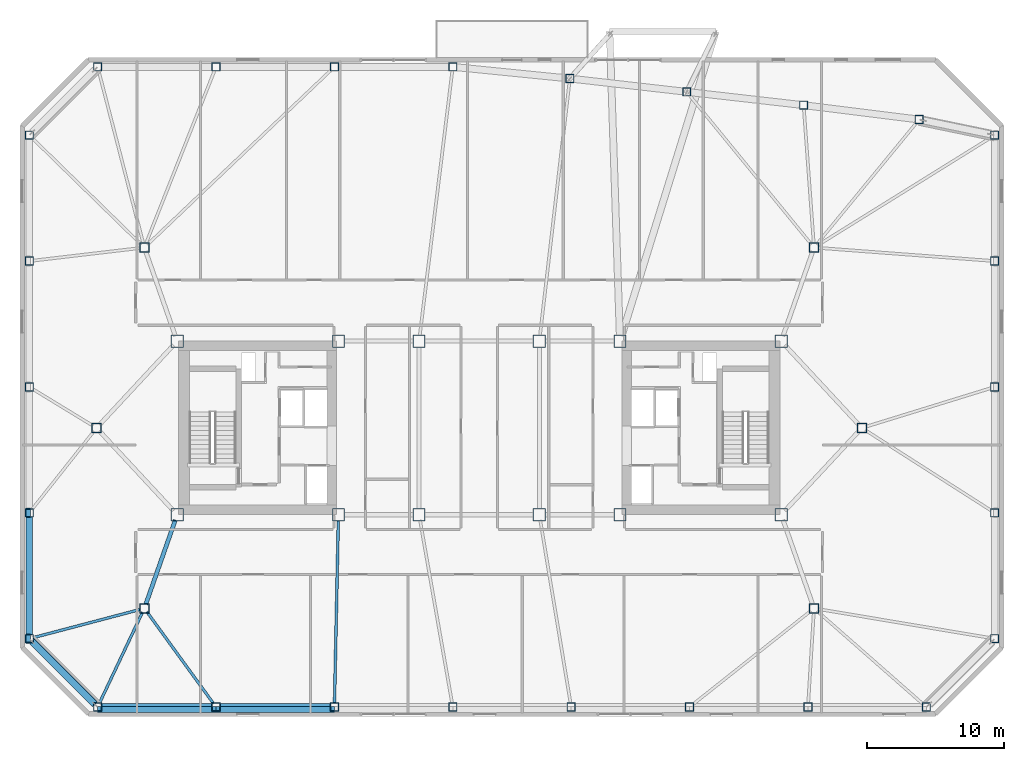
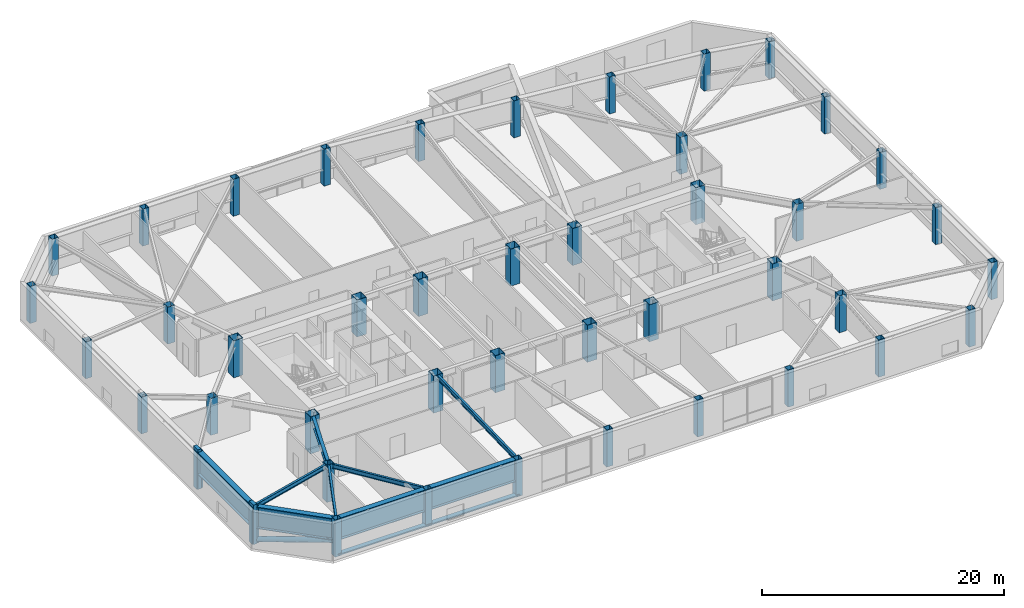
# One storey, part 1 of 19: 44 columns, 9 beams, 5 members.
"""IFC4 building model written with IfcOpenShell, lengths in metres."""

from ifc_helpers import new_model, si_unit, direction, frame, origin, origin_2d, place, context, subcontext, project, spatial, rectangle, hollow_rectangle, hollow_circle, i_section, extrude, material, material_profile, profile_set, type_object, element, save


model = new_model("IFC4")

# Units and contexts
model_context = context("Model", 3, precision=1e-05, world=origin(), true_north=direction((0.0, 1.0)))
body_context = subcontext(model_context, "Body", "Model", "MODEL_VIEW")
ifc_project = project(units=[si_unit("LENGTHUNIT", "METRE"), si_unit("AREAUNIT", "SQUARE_METRE"), si_unit("VOLUMEUNIT", "CUBIC_METRE"), si_unit("PLANEANGLEUNIT", "RADIAN"), si_unit("MASSUNIT", "GRAM", prefix="KILO")], contexts=[model_context])

# Site, building, storey
site_placement = place(None, origin())
site = spatial("IfcSite", under=ifc_project, at=site_placement, CompositionType="ELEMENT")
building_placement = place(site_placement, origin())
building = spatial("IfcBuilding", under=site, at=building_placement, Name="Tavrogorsk Clinical Tower", CompositionType="ELEMENT")
storey_placement = place(building_placement, frame((0.0, 0.0, 172.199951171875)))
storey = spatial("IfcBuildingStorey", under=building, at=storey_placement, Name="L39", CompositionType="ELEMENT", Elevation=172.199951171875)

# Columns
ifc_material_1 = material(Name="Structural steel S440", Category="steel")
ifc_material_profile_1 = material_profile(ifc_material_1, hollow_rectangle(XDim=0.699951171875, YDim=0.699951171875, WallThickness=0.031982421875, at=origin_2d()), Name="BOX-700x700x32")
ifc_profile_set_1 = profile_set([ifc_material_profile_1], Name="Structural steel S440")
column_type_1 = type_object("IfcColumnType", Name="MegaCol_BOX700", PredefinedType="COLUMN", material=ifc_profile_set_1)
for number, where, z_axis, x_axis, name in (
    (1, (-24.5, -13.199951171875, 0.0), (0.0, 0.0, 1.0), (1.0, 0.0, 0.0), "L39 Spine Pilotis Column MC-P1"),
    (2, (24.5, -13.199951171875, 0.0), (0.0, 0.0, 1.0), (1.0, 0.0, 0.0), "L39 Spine Pilotis Column MC-P2"),
    (3, (-24.5, 13.199951171875, 0.0), (0.0, 0.0, 1.0), (1.0, 0.0, 0.0), "L39 Spine Pilotis Column MC-P3"),
    (4, (24.5, 13.199951171875, 0.0), (0.0, 0.0, 1.0), (1.0, 0.0, 0.0), "L39 Spine Pilotis Column MC-P4"),
    (5, (-28.0, 0.0, 0.0), (0.0, 0.0, 1.0), (1.0, 0.0, 0.0), "L39 Spine Pilotis Column MC-P5"),
    (6, (28.0, 0.0, 0.0), (0.0, 0.0, 1.0), (1.0, 0.0, 0.0), "L39 Spine Pilotis Column MC-P6"),
):
    element("IfcColumn", number, at=place(storey_placement, frame(where, z_axis=z_axis, x_axis=x_axis)), inside=storey, type_object=column_type_1, Name=name, PredefinedType="COLUMN", context=body_context, shape_type="SweptSolid", body=[
        extrude(hollow_rectangle(XDim=0.699951171875, YDim=0.699951171875, WallThickness=0.031982421875, at=origin_2d()), origin(), (0.0, 0.0, 1.0), 3.739990234375),
    ])
ifc_material_2 = material(Name="Structural steel S440", Category="steel")
ifc_material_profile_2 = material_profile(ifc_material_2, hollow_rectangle(XDim=0.89990234375, YDim=0.89990234375, WallThickness=0.0400390625, at=origin_2d()), Name="BOX-900x900x40")
ifc_profile_set_2 = profile_set([ifc_material_profile_2], Name="Structural steel S440")
column_type_2 = type_object("IfcColumnType", Name="MegaCol_BOX900", PredefinedType="COLUMN", material=ifc_profile_set_2)
for number, where, z_axis, x_axis, name in (
    (7, (-22.10009765625, -6.35009765625, 0.0), (0.0, 0.0, 1.0), (1.0, 0.0, 0.0), "L39 Mega Column MC-W1"),
    (8, (-22.10009765625, 6.35009765625, 0.0), (0.0, 0.0, 1.0), (1.0, 0.0, 0.0), "L39 Mega Column MC-W2"),
    (9, (-10.300048828125, -6.35009765625, 0.0), (0.0, 0.0, 1.0), (1.0, 0.0, 0.0), "L39 Mega Column MC-W3"),
    (10, (-10.300048828125, 6.35009765625, 0.0), (0.0, 0.0, 1.0), (1.0, 0.0, 0.0), "L39 Mega Column MC-W4"),
    (11, (10.300048828125, -6.35009765625, 0.0), (0.0, 0.0, 1.0), (1.0, 0.0, 0.0), "L39 Mega Column MC-E1"),
    (12, (10.300048828125, 6.35009765625, 0.0), (0.0, 0.0, 1.0), (1.0, 0.0, 0.0), "L39 Mega Column MC-E2"),
    (13, (22.10009765625, -6.35009765625, 0.0), (0.0, 0.0, 1.0), (1.0, 0.0, 0.0), "L39 Mega Column MC-E3"),
    (14, (22.10009765625, 6.35009765625, 0.0), (0.0, 0.0, 1.0), (1.0, 0.0, 0.0), "L39 Mega Column MC-E4"),
    (15, (-4.39990234375, -6.35009765625, 0.0), (0.0, 0.0, 1.0), (1.0, 0.0, 0.0), "L39 Mega Column MC-C1"),
    (16, (4.39990234375, -6.35009765625, 0.0), (0.0, 0.0, 1.0), (1.0, 0.0, 0.0), "L39 Mega Column MC-C2"),
    (17, (-4.39990234375, 6.35009765625, 0.0), (0.0, 0.0, 1.0), (1.0, 0.0, 0.0), "L39 Mega Column MC-C3"),
    (18, (4.39990234375, 6.35009765625, 0.0), (0.0, 0.0, 1.0), (1.0, 0.0, 0.0), "L39 Mega Column MC-C4"),
):
    element("IfcColumn", number, at=place(storey_placement, frame(where, z_axis=z_axis, x_axis=x_axis)), inside=storey, type_object=column_type_2, Name=name, PredefinedType="COLUMN", context=body_context, shape_type="SweptSolid", body=[
        extrude(hollow_rectangle(XDim=0.89990234375, YDim=0.89990234375, WallThickness=0.0400390625, at=origin_2d()), origin(), (0.0, 0.0, 1.0), 3.739990234375),
    ])
ifc_material_3 = material(Name="Structural steel S440", Category="steel")
ifc_material_profile_3 = material_profile(ifc_material_3, hollow_rectangle(XDim=0.60009765625, YDim=0.60009765625, WallThickness=0.028076171875, at=origin_2d()), Name="BOX-600x600x28")
ifc_profile_set_3 = profile_set([ifc_material_profile_3], Name="Structural steel S440")
column_type_3 = type_object("IfcColumnType", Name="PerimCol_B3_BOX600", PredefinedType="COLUMN", material=ifc_profile_set_3)
for number, where, z_axis, x_axis, name in (
    (19, (-27.919921875, -20.419921875, 0.0), (0.0, 0.0, 1.0), (1.0, 0.0, 0.0), "L39 Perimeter Column S1"),
    (20, (-19.257080078125, -20.419921875, 0.0), (0.0, 0.0, 1.0), (1.0, 0.0, 0.0), "L39 Perimeter Column S2"),
    (21, (-10.59423828125, -20.419921875, 0.0), (0.0, 0.0, 1.0), (1.0, 0.0, 0.0), "L39 Perimeter Column S3"),
    (22, (-1.931396484375, -20.419921875, 0.0), (0.0, 0.0, 1.0), (1.0, 0.0, 0.0), "L39 Perimeter Column S4"),
    (23, (6.7314453125, -20.419921875, 0.0), (0.0, 0.0, 1.0), (1.0, 0.0, 0.0), "L39 Perimeter Column S5"),
    (24, (15.394287109375, -20.419921875, 0.0), (0.0, 0.0, 1.0), (1.0, 0.0, 0.0), "L39 Perimeter Column S6"),
    (25, (24.05712890625, -20.419921875, 0.0), (0.0, 0.0, 1.0), (1.0, 0.0, 0.0), "L39 Perimeter Column S7"),
    (26, (32.719970703125, -20.419921875, 0.0), (0.0, 0.0, 1.0), (1.0, 0.0, 0.0), "L39 Perimeter Column S8"),
    (27, (32.19140625, 22.56591796875, 0.0), (0.0, 0.0, 1.0), (1.0, 0.0, 0.0), "L39 Perimeter Column N1"),
    (28, (23.73779296875, 23.617919921875, 0.0), (0.0, 0.0, 1.0), (1.0, 0.0, 0.0), "L39 Perimeter Column N2"),
    (29, (15.18603515625, 24.59228515625, 0.0), (0.0, 0.0, 1.0), (1.0, 0.0, 0.0), "L39 Perimeter Column N3"),
    (30, (6.63427734375, 25.566650390625, 0.0), (0.0, 0.0, 1.0), (1.0, 0.0, 0.0), "L39 Perimeter Column N4"),
    (31, (-1.931396484375, 26.419921875, 0.0), (0.0, 0.0, 1.0), (1.0, 0.0, 0.0), "L39 Perimeter Column N5"),
    (32, (-10.59423828125, 26.419921875, 0.0), (0.0, 0.0, 1.0), (1.0, 0.0, 0.0), "L39 Perimeter Column N6"),
    (33, (-19.257080078125, 26.419921875, 0.0), (0.0, 0.0, 1.0), (1.0, 0.0, 0.0), "L39 Perimeter Column N7"),
    (34, (-27.919921875, 26.419921875, 0.0), (0.0, 0.0, 1.0), (1.0, 0.0, 0.0), "L39 Perimeter Column N8"),
    (35, (37.719970703125, -15.419921875, 0.0), (0.0, 0.0, 1.0), (1.0, 0.0, 0.0), "L39 Perimeter Column E1"),
    (36, (37.719970703125, -6.2099609375, 0.0), (0.0, 0.0, 1.0), (1.0, 0.0, 0.0), "L39 Perimeter Column E2"),
    (37, (37.719970703125, 3.0, 0.0), (0.0, 0.0, 1.0), (1.0, 0.0, 0.0), "L39 Perimeter Column E3"),
    (38, (37.719970703125, 12.2099609375, 0.0), (0.0, 0.0, 1.0), (1.0, 0.0, 0.0), "L39 Perimeter Column E4"),
    (39, (37.719970703125, 21.419921875, 0.0), (0.0, 0.0, 1.0), (1.0, 0.0, 0.0), "L39 Perimeter Column E5"),
    (40, (-32.919921875, 21.419921875, 0.0), (0.0, 0.0, 1.0), (1.0, 0.0, 0.0), "L39 Perimeter Column W1"),
    (41, (-32.919921875, 12.2099609375, 0.0), (0.0, 0.0, 1.0), (1.0, 0.0, 0.0), "L39 Perimeter Column W2"),
    (42, (-32.919921875, 3.0, 0.0), (0.0, 0.0, 1.0), (1.0, 0.0, 0.0), "L39 Perimeter Column W3"),
    (43, (-32.919921875, -6.2099609375, 0.0), (0.0, 0.0, 1.0), (1.0, 0.0, 0.0), "L39 Perimeter Column W4"),
    (44, (-32.919921875, -15.419921875, 0.0), (0.0, 0.0, 1.0), (1.0, 0.0, 0.0), "L39 Perimeter Column W5"),
):
    element("IfcColumn", number, at=place(storey_placement, frame(where, z_axis=z_axis, x_axis=x_axis)), inside=storey, type_object=column_type_3, Name=name, PredefinedType="COLUMN", context=body_context, shape_type="SweptSolid", body=[
        extrude(hollow_rectangle(XDim=0.60009765625, YDim=0.60009765625, WallThickness=0.028076171875, at=origin_2d()), origin(), (0.0, 0.0, 1.0), 3.739990234375),
    ])

# Members
ifc_material_4 = material(Name="Anodised aluminium alloy AW-6063", Category="aluminium")
ifc_material_profile_4 = material_profile(ifc_material_4, rectangle(XDim=0.449951171875, YDim=0.1201171875, at=origin_2d()), Name="ALU-SUNSHADE-450x120")
ifc_profile_set_4 = profile_set([ifc_material_profile_4], Name="Anodised aluminium alloy AW-6063")
member_type_1 = type_object("IfcMemberType", Name="ChicagoSunshade_450x120", PredefinedType="USERDEFINED", material=ifc_profile_set_4)
for number, where, z_axis, x_axis, name in (
    (45, (-27.919921875, -20.60009765625, 0.179931640625), (1.0, 0.0, 0.0), (0.0, 1.0, 0.0), "L39 South Aluminium Sunshade S1"),
    (46, (-19.257080078125, -20.60009765625, 0.179931640625), (1.0, 0.0, 0.0), (0.0, 1.0, 0.0), "L39 South Aluminium Sunshade S2"),
):
    element("IfcMember", number, at=place(storey_placement, frame(where, z_axis=z_axis, x_axis=x_axis)), inside=storey, type_object=member_type_1, Name=name, ObjectType="SUNSHADE", PredefinedType="USERDEFINED", context=body_context, shape_type="SweptSolid", body=[
        extrude(rectangle(XDim=0.449951171875, YDim=0.1201171875, at=origin_2d()), origin(), (0.0, 0.0, 1.0), 8.662841796875),
    ])
ifc_material_5 = material(Name="Structural steel S440", Category="steel")
ifc_material_profile_5 = material_profile(ifc_material_5, hollow_circle(Radius=0.25390625, WallThickness=0.02001953125, at=origin_2d()), Name="CHS-508x20")
ifc_profile_set_5 = profile_set([ifc_material_profile_5], Name="Structural steel S440")
member_type_2 = type_object("IfcMemberType", Name="ExoBrace_CHS508", PredefinedType="BRACE", material=ifc_profile_set_5)
member_placement = place(storey_placement, frame((-32.705322265625, -15.634765625, 0.35107421875), z_axis=(0.697299508861, -0.697299508861, 0.165972256369), x_axis=(0.707106781187, 0.707106781187, 0.0)))
element("IfcMember", 47, at=member_placement, inside=storey, type_object=member_type_2, Name="L39 Corner Exoskeleton Brace W5-S1", PredefinedType="BRACE", context=body_context, shape_type="SweptSolid", body=[
    extrude(hollow_circle(Radius=0.25390625, WallThickness=0.02001953125, at=origin_2d()), origin(), (0.0, 0.0, 1.0), 6.5546875),
])

# Beams
ifc_material_6 = material(Name="Structural steel S355", Category="steel")
ifc_material_profile_6 = material_profile(ifc_material_6, i_section(OverallWidth=0.199951171875, OverallDepth=0.449951171875, WebThickness=0.011474609375, FlangeThickness=0.01806640625, at=origin_2d()), Name="B-450x200x11.5x18")
ifc_profile_set_6 = profile_set([ifc_material_profile_6], Name="Structural steel S355")
beam_type_1 = type_object("IfcBeamType", Name="FloorBeam_B450", PredefinedType="BEAM", material=ifc_profile_set_6)
beam_1_placement = place(storey_placement, frame((-24.6328125, -13.480224609375, 3.51513671875), z_axis=(-0.428073530385, -0.90374390874, 0.0), x_axis=(0.90374390874, -0.428073530385, 0.0)))
element("IfcBeam", 48, at=beam_1_placement, inside=storey, type_object=beam_type_1, Name="L39 Radial Floor Beam S1", PredefinedType="BEAM", context=body_context, shape_type="SweptSolid", body=[
    extrude(i_section(OverallWidth=0.199951171875, OverallDepth=0.449951171875, WebThickness=0.011474609375, FlangeThickness=0.01806640625, at=origin_2d()), origin(), (0.0, 0.0, 1.0), 7.370849609375),
])
beam_2_placement = place(storey_placement, frame((-24.31787109375, -13.450927734375, 3.51513671875), z_axis=(0.587591229638, -0.809157924544, 0.0), x_axis=(0.809157924544, 0.587591229638, 0.0)))
element("IfcBeam", 49, at=beam_2_placement, inside=storey, type_object=beam_type_1, Name="L39 Radial Floor Beam S2", PredefinedType="BEAM", context=body_context, shape_type="SweptSolid", body=[
    extrude(i_section(OverallWidth=0.199951171875, OverallDepth=0.449951171875, WebThickness=0.011474609375, FlangeThickness=0.01806640625, at=origin_2d()), origin(), (0.0, 0.0, 1.0), 8.304931640625),
])
beam_3_placement = place(storey_placement, frame((-10.30859375, -6.760009765625, 3.51513671875), z_axis=(-0.020913325994, -0.999781292481, 0.0), x_axis=(0.999781292481, -0.020913325994, 0.0)))
element("IfcBeam", 50, at=beam_3_placement, inside=storey, type_object=beam_type_1, Name="L39 Radial Floor Beam S3", PredefinedType="BEAM", context=body_context, shape_type="SweptSolid", body=[
    extrude(i_section(OverallWidth=0.199951171875, OverallDepth=0.449951171875, WebThickness=0.011474609375, FlangeThickness=0.01806640625, at=origin_2d()), origin(), (0.0, 0.0, 1.0), 13.35498046875),
])
beam_4_placement = place(storey_placement, frame((-24.7998046875, -13.279052734375, 3.51513671875), z_axis=(-0.966952457073, -0.254956752726, 0.0), x_axis=(0.254956752726, -0.966952457073, 0.0)))
element("IfcBeam", 51, at=beam_4_placement, inside=storey, type_object=beam_type_1, Name="L39 Radial Floor Beam W5", PredefinedType="BEAM", context=body_context, shape_type="SweptSolid", body=[
    extrude(i_section(OverallWidth=0.199951171875, OverallDepth=0.449951171875, WebThickness=0.011474609375, FlangeThickness=0.01806640625, at=origin_2d()), origin(), (0.0, 0.0, 1.0), 8.089599609375),
])

# Members
ifc_material_7 = material(Name="Precast concrete B45 with limestone cladding", Category="masonry")
ifc_material_profile_7 = material_profile(ifc_material_7, rectangle(XDim=0.320068359375, YDim=0.719970703125, at=origin_2d()), Name="LIMESTONE-FIN-320x720")
ifc_profile_set_7 = profile_set([ifc_material_profile_7], Name="Precast concrete B45 with limestone cladding")
member_type_3 = type_object("IfcMemberType", Name="LimestonePleatFin_320x720", PredefinedType="USERDEFINED", material=ifc_profile_set_7)
for number, where, z_axis, x_axis, name in (
    (52, (-33.0, -6.2099609375, 0.0), (0.0, 0.0, 1.0), (1.0, 0.0, 0.0), "L39 W Pleated Stone Fin 3"),
    (53, (-33.0, -15.419921875, 0.0), (0.0, 0.0, 1.0), (1.0, 0.0, 0.0), "L39 W Pleated Stone Fin 4"),
):
    element("IfcMember", number, at=place(storey_placement, frame(where, z_axis=z_axis, x_axis=x_axis)), inside=storey, type_object=member_type_3, Name=name, ObjectType="FIN", PredefinedType="USERDEFINED", context=body_context, shape_type="SweptSolid", body=[
        extrude(rectangle(XDim=0.320068359375, YDim=0.719970703125, at=origin_2d()), origin(), (0.0, 0.0, 1.0), 4.0),
    ])

# Beams
ifc_material_8 = material(Name="Structural steel S390", Category="steel")
ifc_material_profile_8 = material_profile(ifc_material_8, i_section(OverallWidth=0.300048828125, OverallDepth=0.699951171875, WebThickness=0.01708984375, FlangeThickness=0.028076171875, at=origin_2d()), Name="B-700x300x17x28")
ifc_profile_set_8 = profile_set([ifc_material_profile_8], Name="Structural steel S390")
beam_type_2 = type_object("IfcBeamType", Name="PrimaryGirder_B700", PredefinedType="USERDEFINED", material=ifc_profile_set_8)
beam_5_placement = place(storey_placement, frame((-24.3974609375, -12.907470703125, 3.39013671875), z_axis=(0.33065312634, 0.94375235631, 0.0), x_axis=(-0.94375235631, 0.33065312634, 0.0)))
element("IfcBeam", 54, at=beam_5_placement, inside=storey, type_object=beam_type_2, Name="L39 Spine Link Girder OPG-1", ObjectType="GIRDER", PredefinedType="USERDEFINED", context=body_context, shape_type="SweptSolid", body=[
    extrude(i_section(OverallWidth=0.300048828125, OverallDepth=0.699951171875, WebThickness=0.01708984375, FlangeThickness=0.028076171875, at=origin_2d()), origin(), (0.0, 0.0, 1.0), 6.5380859375),
])
ifc_material_9 = material(Name="Structural steel S440", Category="steel")
ifc_material_profile_9 = material_profile(ifc_material_9, i_section(OverallWidth=0.5, OverallDepth=2.199951171875, WebThickness=0.035888671875, FlangeThickness=0.054931640625, at=origin_2d()), Name="DK-2200x500x36x55")
ifc_profile_set_9 = profile_set([ifc_material_profile_9], Name="Structural steel S440")
beam_type_3 = type_object("IfcBeamType", Name="TransferGirder_DK2200", PredefinedType="USERDEFINED", material=ifc_profile_set_9)
for number, where, z_axis, x_axis, name in (
    (55, (-27.612060546875, -20.419921875, 2.64013671875), (1.0, 0.0, 0.0), (0.0, 1.0, 0.0), "L39 Perimeter Spandrel S1-S2"),
    (56, (-18.94921875, -20.419921875, 2.64013671875), (1.0, 0.0, 0.0), (0.0, 1.0, 0.0), "L39 Perimeter Spandrel S2-S3"),
):
    element("IfcBeam", number, at=place(storey_placement, frame(where, z_axis=z_axis, x_axis=x_axis)), inside=storey, type_object=beam_type_3, Name=name, ObjectType="GIRDER", PredefinedType="USERDEFINED", context=body_context, shape_type="SweptSolid", body=[
        extrude(i_section(OverallWidth=0.5, OverallDepth=2.199951171875, WebThickness=0.035888671875, FlangeThickness=0.054931640625, at=origin_2d()), origin(), (0.0, 0.0, 1.0), 8.046875),
    ])
beam_6_placement = place(storey_placement, frame((-32.919921875, -6.51806640625, 2.64013671875), z_axis=(0.0, -1.0, 0.0), x_axis=(1.0, 0.0, 0.0)))
element("IfcBeam", 57, at=beam_6_placement, inside=storey, type_object=beam_type_3, Name="L39 Perimeter Spandrel W4-W5", ObjectType="GIRDER", PredefinedType="USERDEFINED", context=body_context, shape_type="SweptSolid", body=[
    extrude(i_section(OverallWidth=0.5, OverallDepth=2.199951171875, WebThickness=0.035888671875, FlangeThickness=0.054931640625, at=origin_2d()), origin(), (0.0, 0.0, 1.0), 8.593994140625),
])
beam_7_placement = place(storey_placement, frame((-32.7021484375, -15.6376953125, 2.64013671875), z_axis=(0.707106781187, -0.707106781187, 0.0), x_axis=(0.707106781187, 0.707106781187, 0.0)))
element("IfcBeam", 58, at=beam_7_placement, inside=storey, type_object=beam_type_3, Name="L39 Perimeter Spandrel W5-S1", ObjectType="GIRDER", PredefinedType="USERDEFINED", context=body_context, shape_type="SweptSolid", body=[
    extrude(i_section(OverallWidth=0.5, OverallDepth=2.199951171875, WebThickness=0.035888671875, FlangeThickness=0.054931640625, at=origin_2d()), origin(), (0.0, 0.0, 1.0), 6.455078125),
])

save(model, "model.ifc")
